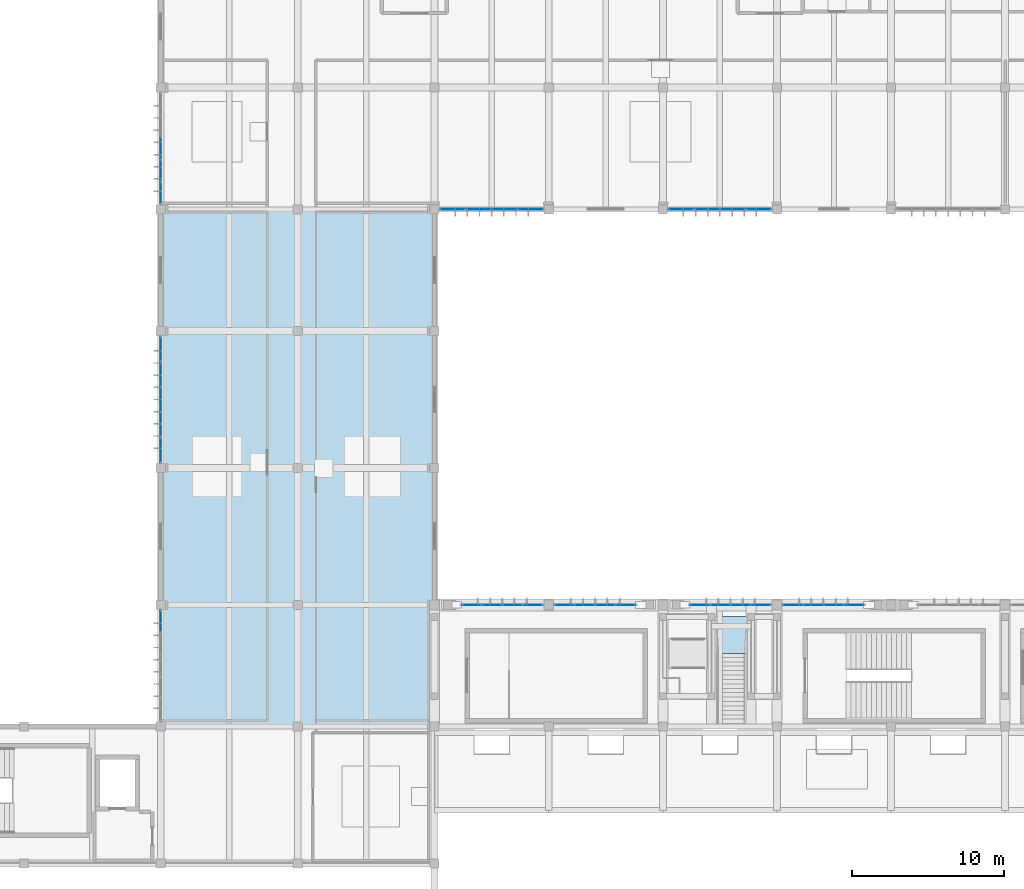
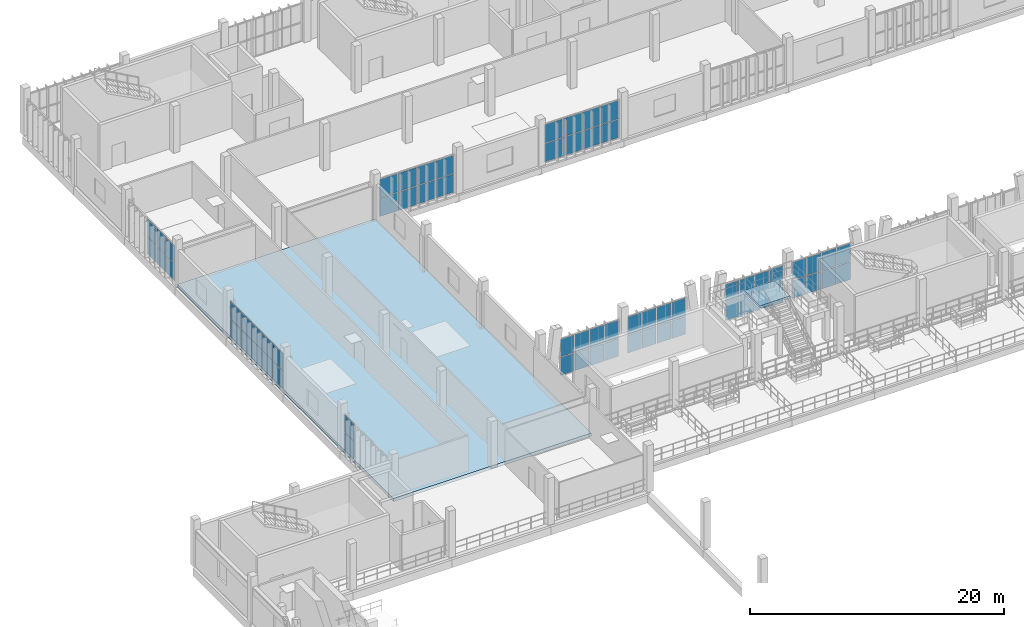
# One storey, part 41 of 81: 66 plates, 2 slabs, 9 elements without a shape of their own.
"""IFC4 building model written with IfcOpenShell, lengths in metres."""

from ifc_helpers import new_model, si_unit, direction, frame, origin, origin_2d, place, context, subcontext, project, spatial, polyline, rectangle, outline, extrude, material, layer, layer_set, type_object, element, aggregate, save


model = new_model("IFC4")

# Units and contexts
model_context = context("Model", 3, precision=1e-05, world=origin(), true_north=direction((0.0, 1.0)))
body_context = subcontext(model_context, "Body", "Model", "MODEL_VIEW")
ifc_project = project(units=[si_unit("LENGTHUNIT", "METRE"), si_unit("AREAUNIT", "SQUARE_METRE"), si_unit("VOLUMEUNIT", "CUBIC_METRE"), si_unit("PLANEANGLEUNIT", "RADIAN"), si_unit("MASSUNIT", "GRAM", prefix="KILO")], contexts=[model_context])

# Site, building, storey
site_placement = place(None, origin())
site = spatial("IfcSite", under=ifc_project, at=site_placement, CompositionType="ELEMENT")
building_placement = place(site_placement, origin())
building = spatial("IfcBuilding", under=site, at=building_placement, Name="Vourika Railside Aquatics Centre", CompositionType="ELEMENT")
storey_placement = place(building_placement, frame((0.0, 0.0, 4.800048828125)))
storey = spatial("IfcBuildingStorey", under=building, at=storey_placement, Name="L01", CompositionType="ELEMENT", Elevation=4.800048828125)

# Curtain wall, plates
ifc_material_1 = material(Name="Anodized thermally broken aluminium", Category="aluminium")
curtain_wall_type_1 = type_object("IfcCurtainWallType", Name="CW-CRT1", PredefinedType="NOTDEFINED", material=ifc_material_1)
curtain_wall_1_placement = place(storey_placement, origin())
curtain_wall_1 = element("IfcCurtainWall", 1, at=curtain_wall_1_placement, inside=storey, type_object=curtain_wall_type_1, Name="Spectator Concourse Courtyard Curtain Wall 1", PredefinedType="NOTDEFINED")
ifc_material_2 = material(Name="Low-E solar-control laminated double glazing", Category="glass")
ifc_layer_1 = layer(ifc_material_2, 0.02392578125, Name="CWP-CRT1")
ifc_layer_set_1 = layer_set([ifc_layer_1], Name="Low-E solar-control laminated double glazing")
plate_type_1 = type_object("IfcPlateType", Name="CWP-CRT1", PredefinedType="CURTAIN_PANEL", material=ifc_layer_set_1)
plate_1_placement = place(storey_placement, frame((42.44970703125, 66.0, 0.06591796875), z_axis=(0.0, 0.0, 1.0), x_axis=(-1.0, 0.0, 0.0)))
plate_1 = element("IfcPlate", 2, at=plate_1_placement, type_object=plate_type_1, Name="CW13 panel 1.1", PredefinedType="CURTAIN_PANEL", context=body_context, shape_type="SweptSolid", body=[
    extrude(rectangle(XDim=1.24853515625, YDim=0.02392578125, at=origin_2d()), origin(), (0.0, 0.0, 1.0), 1.700927734375),
])
plate_2_placement = place(storey_placement, frame((42.44970703125, 66.0, 1.8330078125), z_axis=(0.0, 0.0, 1.0), x_axis=(-1.0, 0.0, 0.0)))
plate_2 = element("IfcPlate", 3, at=plate_2_placement, type_object=plate_type_1, Name="CW13 panel 1.2", PredefinedType="CURTAIN_PANEL", context=body_context, shape_type="SweptSolid", body=[
    extrude(rectangle(XDim=1.24853515625, YDim=0.02392578125, at=origin_2d()), origin(), (0.0, 0.0, 1.0), 1.700927734375),
])
plate_3_placement = place(storey_placement, frame((41.11865234375, 66.0, 0.06591796875), z_axis=(0.0, 0.0, 1.0), x_axis=(-1.0, 0.0, 0.0)))
plate_3 = element("IfcPlate", 4, at=plate_3_placement, type_object=plate_type_1, Name="CW13 panel 2.1", PredefinedType="CURTAIN_PANEL", context=body_context, shape_type="SweptSolid", body=[
    extrude(rectangle(XDim=1.281494140625, YDim=0.02392578125, at=origin_2d()), origin(), (0.0, 0.0, 1.0), 1.700927734375),
])
plate_4_placement = place(storey_placement, frame((41.11865234375, 66.0, 1.8330078125), z_axis=(0.0, 0.0, 1.0), x_axis=(-1.0, 0.0, 0.0)))
plate_4 = element("IfcPlate", 5, at=plate_4_placement, type_object=plate_type_1, Name="CW13 panel 2.2", PredefinedType="CURTAIN_PANEL", context=body_context, shape_type="SweptSolid", body=[
    extrude(rectangle(XDim=1.281494140625, YDim=0.02392578125, at=origin_2d()), origin(), (0.0, 0.0, 1.0), 1.700927734375),
])
plate_5_placement = place(storey_placement, frame((39.771240234375, 66.0, 0.06591796875), z_axis=(0.0, 0.0, 1.0), x_axis=(-1.0, 0.0, 0.0)))
plate_5 = element("IfcPlate", 6, at=plate_5_placement, type_object=plate_type_1, Name="CW13 panel 3.1", PredefinedType="CURTAIN_PANEL", context=body_context, shape_type="SweptSolid", body=[
    extrude(rectangle(XDim=1.281494140625, YDim=0.02392578125, at=origin_2d()), origin(), (0.0, 0.0, 1.0), 1.700927734375),
])
plate_6_placement = place(storey_placement, frame((39.771240234375, 66.0, 1.8330078125), z_axis=(0.0, 0.0, 1.0), x_axis=(-1.0, 0.0, 0.0)))
plate_6 = element("IfcPlate", 7, at=plate_6_placement, type_object=plate_type_1, Name="CW13 panel 3.2", PredefinedType="CURTAIN_PANEL", context=body_context, shape_type="SweptSolid", body=[
    extrude(rectangle(XDim=1.281494140625, YDim=0.02392578125, at=origin_2d()), origin(), (0.0, 0.0, 1.0), 1.700927734375),
])
plate_7_placement = place(storey_placement, frame((38.440185546875, 66.0, 0.06591796875), z_axis=(0.0, 0.0, 1.0), x_axis=(-1.0, 0.0, 0.0)))
plate_7 = element("IfcPlate", 8, at=plate_7_placement, type_object=plate_type_1, Name="CW13 panel 4.1", PredefinedType="CURTAIN_PANEL", context=body_context, shape_type="SweptSolid", body=[
    extrude(rectangle(XDim=1.24853515625, YDim=0.02392578125, at=origin_2d()), origin(), (0.0, 0.0, 1.0), 1.700927734375),
])
plate_8_placement = place(storey_placement, frame((38.440185546875, 66.0, 1.8330078125), z_axis=(0.0, 0.0, 1.0), x_axis=(-1.0, 0.0, 0.0)))
plate_8 = element("IfcPlate", 9, at=plate_8_placement, type_object=plate_type_1, Name="CW13 panel 4.2", PredefinedType="CURTAIN_PANEL", context=body_context, shape_type="SweptSolid", body=[
    extrude(rectangle(XDim=1.24853515625, YDim=0.02392578125, at=origin_2d()), origin(), (0.0, 0.0, 1.0), 1.700927734375),
])
aggregate(curtain_wall_1, [plate_1, plate_2, plate_3, plate_4, plate_5, plate_6, plate_7, plate_8])

curtain_wall_2_placement = place(storey_placement, origin())
curtain_wall_2 = element("IfcCurtainWall", 10, at=curtain_wall_2_placement, inside=storey, type_object=curtain_wall_type_1, Name="Spectator Concourse Courtyard Curtain Wall 2", PredefinedType="NOTDEFINED")
plate_9_placement = place(storey_placement, frame((48.559814453125, 66.0, 0.06591796875), z_axis=(0.0, 0.0, 1.0), x_axis=(-1.0, 0.0, 0.0)))
plate_9 = element("IfcPlate", 11, at=plate_9_placement, type_object=plate_type_1, Name="CW13 panel 1.1", PredefinedType="CURTAIN_PANEL", context=body_context, shape_type="SweptSolid", body=[
    extrude(rectangle(XDim=1.24853515625, YDim=0.02392578125, at=origin_2d()), origin(), (0.0, 0.0, 1.0), 1.700927734375),
])
plate_10_placement = place(storey_placement, frame((48.559814453125, 66.0, 1.8330078125), z_axis=(0.0, 0.0, 1.0), x_axis=(-1.0, 0.0, 0.0)))
plate_10 = element("IfcPlate", 12, at=plate_10_placement, type_object=plate_type_1, Name="CW13 panel 1.2", PredefinedType="CURTAIN_PANEL", context=body_context, shape_type="SweptSolid", body=[
    extrude(rectangle(XDim=1.24853515625, YDim=0.02392578125, at=origin_2d()), origin(), (0.0, 0.0, 1.0), 1.700927734375),
])
plate_11_placement = place(storey_placement, frame((47.228759765625, 66.0, 0.06591796875), z_axis=(0.0, 0.0, 1.0), x_axis=(-1.0, 0.0, 0.0)))
plate_11 = element("IfcPlate", 13, at=plate_11_placement, type_object=plate_type_1, Name="CW13 panel 2.1", PredefinedType="CURTAIN_PANEL", context=body_context, shape_type="SweptSolid", body=[
    extrude(rectangle(XDim=1.281494140625, YDim=0.02392578125, at=origin_2d()), origin(), (0.0, 0.0, 1.0), 1.700927734375),
])
plate_12_placement = place(storey_placement, frame((47.228759765625, 66.0, 1.8330078125), z_axis=(0.0, 0.0, 1.0), x_axis=(-1.0, 0.0, 0.0)))
plate_12 = element("IfcPlate", 14, at=plate_12_placement, type_object=plate_type_1, Name="CW13 panel 2.2", PredefinedType="CURTAIN_PANEL", context=body_context, shape_type="SweptSolid", body=[
    extrude(rectangle(XDim=1.281494140625, YDim=0.02392578125, at=origin_2d()), origin(), (0.0, 0.0, 1.0), 1.700927734375),
])
plate_13_placement = place(storey_placement, frame((45.88134765625, 66.0, 0.06591796875), z_axis=(0.0, 0.0, 1.0), x_axis=(-1.0, 0.0, 0.0)))
plate_13 = element("IfcPlate", 15, at=plate_13_placement, type_object=plate_type_1, Name="CW13 panel 3.1", PredefinedType="CURTAIN_PANEL", context=body_context, shape_type="SweptSolid", body=[
    extrude(rectangle(XDim=1.281494140625, YDim=0.02392578125, at=origin_2d()), origin(), (0.0, 0.0, 1.0), 1.700927734375),
])
plate_14_placement = place(storey_placement, frame((45.88134765625, 66.0, 1.8330078125), z_axis=(0.0, 0.0, 1.0), x_axis=(-1.0, 0.0, 0.0)))
plate_14 = element("IfcPlate", 16, at=plate_14_placement, type_object=plate_type_1, Name="CW13 panel 3.2", PredefinedType="CURTAIN_PANEL", context=body_context, shape_type="SweptSolid", body=[
    extrude(rectangle(XDim=1.281494140625, YDim=0.02392578125, at=origin_2d()), origin(), (0.0, 0.0, 1.0), 1.700927734375),
])
plate_15_placement = place(storey_placement, frame((44.55029296875, 66.0, 0.06591796875), z_axis=(0.0, 0.0, 1.0), x_axis=(-1.0, 0.0, 0.0)))
plate_15 = element("IfcPlate", 17, at=plate_15_placement, type_object=plate_type_1, Name="CW13 panel 4.1", PredefinedType="CURTAIN_PANEL", context=body_context, shape_type="SweptSolid", body=[
    extrude(rectangle(XDim=1.24853515625, YDim=0.02392578125, at=origin_2d()), origin(), (0.0, 0.0, 1.0), 1.700927734375),
])
plate_16_placement = place(storey_placement, frame((44.55029296875, 66.0, 1.8330078125), z_axis=(0.0, 0.0, 1.0), x_axis=(-1.0, 0.0, 0.0)))
plate_16 = element("IfcPlate", 18, at=plate_16_placement, type_object=plate_type_1, Name="CW13 panel 4.2", PredefinedType="CURTAIN_PANEL", context=body_context, shape_type="SweptSolid", body=[
    extrude(rectangle(XDim=1.24853515625, YDim=0.02392578125, at=origin_2d()), origin(), (0.0, 0.0, 1.0), 1.700927734375),
])
aggregate(curtain_wall_2, [plate_9, plate_10, plate_11, plate_12, plate_13, plate_14, plate_15, plate_16])

curtain_wall_3_placement = place(storey_placement, origin())
curtain_wall_3 = element("IfcCurtainWall", 19, at=curtain_wall_3_placement, inside=storey, type_object=curtain_wall_type_1, Name="Spectator Concourse Courtyard Curtain Wall 3", PredefinedType="NOTDEFINED")
plate_17_placement = place(storey_placement, frame((57.44970703125, 66.0, 0.06591796875), z_axis=(0.0, 0.0, 1.0), x_axis=(-1.0, 0.0, 0.0)))
plate_17 = element("IfcPlate", 20, at=plate_17_placement, type_object=plate_type_1, Name="CW13 panel 1.1", PredefinedType="CURTAIN_PANEL", context=body_context, shape_type="SweptSolid", body=[
    extrude(rectangle(XDim=1.24853515625, YDim=0.02392578125, at=origin_2d()), origin(), (0.0, 0.0, 1.0), 1.700927734375),
])
plate_18_placement = place(storey_placement, frame((57.44970703125, 66.0, 1.8330078125), z_axis=(0.0, 0.0, 1.0), x_axis=(-1.0, 0.0, 0.0)))
plate_18 = element("IfcPlate", 21, at=plate_18_placement, type_object=plate_type_1, Name="CW13 panel 1.2", PredefinedType="CURTAIN_PANEL", context=body_context, shape_type="SweptSolid", body=[
    extrude(rectangle(XDim=1.24853515625, YDim=0.02392578125, at=origin_2d()), origin(), (0.0, 0.0, 1.0), 1.700927734375),
])
plate_19_placement = place(storey_placement, frame((56.11865234375, 66.0, 0.06591796875), z_axis=(0.0, 0.0, 1.0), x_axis=(-1.0, 0.0, 0.0)))
plate_19 = element("IfcPlate", 22, at=plate_19_placement, type_object=plate_type_1, Name="CW13 panel 2.1", PredefinedType="CURTAIN_PANEL", context=body_context, shape_type="SweptSolid", body=[
    extrude(rectangle(XDim=1.281494140625, YDim=0.02392578125, at=origin_2d()), origin(), (0.0, 0.0, 1.0), 1.700927734375),
])
plate_20_placement = place(storey_placement, frame((56.11865234375, 66.0, 1.8330078125), z_axis=(0.0, 0.0, 1.0), x_axis=(-1.0, 0.0, 0.0)))
plate_20 = element("IfcPlate", 23, at=plate_20_placement, type_object=plate_type_1, Name="CW13 panel 2.2", PredefinedType="CURTAIN_PANEL", context=body_context, shape_type="SweptSolid", body=[
    extrude(rectangle(XDim=1.281494140625, YDim=0.02392578125, at=origin_2d()), origin(), (0.0, 0.0, 1.0), 1.700927734375),
])
plate_21_placement = place(storey_placement, frame((54.771240234375, 66.0, 0.06591796875), z_axis=(0.0, 0.0, 1.0), x_axis=(-1.0, 0.0, 0.0)))
plate_21 = element("IfcPlate", 24, at=plate_21_placement, type_object=plate_type_1, Name="CW13 panel 3.1", PredefinedType="CURTAIN_PANEL", context=body_context, shape_type="SweptSolid", body=[
    extrude(rectangle(XDim=1.281494140625, YDim=0.02392578125, at=origin_2d()), origin(), (0.0, 0.0, 1.0), 1.700927734375),
])
plate_22_placement = place(storey_placement, frame((54.771240234375, 66.0, 1.8330078125), z_axis=(0.0, 0.0, 1.0), x_axis=(-1.0, 0.0, 0.0)))
plate_22 = element("IfcPlate", 25, at=plate_22_placement, type_object=plate_type_1, Name="CW13 panel 3.2", PredefinedType="CURTAIN_PANEL", context=body_context, shape_type="SweptSolid", body=[
    extrude(rectangle(XDim=1.281494140625, YDim=0.02392578125, at=origin_2d()), origin(), (0.0, 0.0, 1.0), 1.700927734375),
])
plate_23_placement = place(storey_placement, frame((53.440185546875, 66.0, 0.06591796875), z_axis=(0.0, 0.0, 1.0), x_axis=(-1.0, 0.0, 0.0)))
plate_23 = element("IfcPlate", 26, at=plate_23_placement, type_object=plate_type_1, Name="CW13 panel 4.1", PredefinedType="CURTAIN_PANEL", context=body_context, shape_type="SweptSolid", body=[
    extrude(rectangle(XDim=1.24853515625, YDim=0.02392578125, at=origin_2d()), origin(), (0.0, 0.0, 1.0), 1.700927734375),
])
plate_24_placement = place(storey_placement, frame((53.440185546875, 66.0, 1.8330078125), z_axis=(0.0, 0.0, 1.0), x_axis=(-1.0, 0.0, 0.0)))
plate_24 = element("IfcPlate", 27, at=plate_24_placement, type_object=plate_type_1, Name="CW13 panel 4.2", PredefinedType="CURTAIN_PANEL", context=body_context, shape_type="SweptSolid", body=[
    extrude(rectangle(XDim=1.24853515625, YDim=0.02392578125, at=origin_2d()), origin(), (0.0, 0.0, 1.0), 1.700927734375),
])
aggregate(curtain_wall_3, [plate_17, plate_18, plate_19, plate_20, plate_21, plate_22, plate_23, plate_24])

curtain_wall_4_placement = place(storey_placement, origin())
curtain_wall_4 = element("IfcCurtainWall", 28, at=curtain_wall_4_placement, inside=storey, type_object=curtain_wall_type_1, Name="Spectator Concourse Courtyard Curtain Wall 4", PredefinedType="NOTDEFINED")
plate_25_placement = place(storey_placement, frame((63.559814453125, 66.0, 0.06591796875), z_axis=(0.0, 0.0, 1.0), x_axis=(-1.0, 0.0, 0.0)))
plate_25 = element("IfcPlate", 29, at=plate_25_placement, type_object=plate_type_1, Name="CW13 panel 1.1", PredefinedType="CURTAIN_PANEL", context=body_context, shape_type="SweptSolid", body=[
    extrude(rectangle(XDim=1.24853515625, YDim=0.02392578125, at=origin_2d()), origin(), (0.0, 0.0, 1.0), 1.700927734375),
])
plate_26_placement = place(storey_placement, frame((63.559814453125, 66.0, 1.8330078125), z_axis=(0.0, 0.0, 1.0), x_axis=(-1.0, 0.0, 0.0)))
plate_26 = element("IfcPlate", 30, at=plate_26_placement, type_object=plate_type_1, Name="CW13 panel 1.2", PredefinedType="CURTAIN_PANEL", context=body_context, shape_type="SweptSolid", body=[
    extrude(rectangle(XDim=1.24853515625, YDim=0.02392578125, at=origin_2d()), origin(), (0.0, 0.0, 1.0), 1.700927734375),
])
plate_27_placement = place(storey_placement, frame((62.228759765625, 66.0, 0.06591796875), z_axis=(0.0, 0.0, 1.0), x_axis=(-1.0, 0.0, 0.0)))
plate_27 = element("IfcPlate", 31, at=plate_27_placement, type_object=plate_type_1, Name="CW13 panel 2.1", PredefinedType="CURTAIN_PANEL", context=body_context, shape_type="SweptSolid", body=[
    extrude(rectangle(XDim=1.281494140625, YDim=0.02392578125, at=origin_2d()), origin(), (0.0, 0.0, 1.0), 1.700927734375),
])
plate_28_placement = place(storey_placement, frame((62.228759765625, 66.0, 1.8330078125), z_axis=(0.0, 0.0, 1.0), x_axis=(-1.0, 0.0, 0.0)))
plate_28 = element("IfcPlate", 32, at=plate_28_placement, type_object=plate_type_1, Name="CW13 panel 2.2", PredefinedType="CURTAIN_PANEL", context=body_context, shape_type="SweptSolid", body=[
    extrude(rectangle(XDim=1.281494140625, YDim=0.02392578125, at=origin_2d()), origin(), (0.0, 0.0, 1.0), 1.700927734375),
])
plate_29_placement = place(storey_placement, frame((60.88134765625, 66.0, 0.06591796875), z_axis=(0.0, 0.0, 1.0), x_axis=(-1.0, 0.0, 0.0)))
plate_29 = element("IfcPlate", 33, at=plate_29_placement, type_object=plate_type_1, Name="CW13 panel 3.1", PredefinedType="CURTAIN_PANEL", context=body_context, shape_type="SweptSolid", body=[
    extrude(rectangle(XDim=1.281494140625, YDim=0.02392578125, at=origin_2d()), origin(), (0.0, 0.0, 1.0), 1.700927734375),
])
plate_30_placement = place(storey_placement, frame((60.88134765625, 66.0, 1.8330078125), z_axis=(0.0, 0.0, 1.0), x_axis=(-1.0, 0.0, 0.0)))
plate_30 = element("IfcPlate", 34, at=plate_30_placement, type_object=plate_type_1, Name="CW13 panel 3.2", PredefinedType="CURTAIN_PANEL", context=body_context, shape_type="SweptSolid", body=[
    extrude(rectangle(XDim=1.281494140625, YDim=0.02392578125, at=origin_2d()), origin(), (0.0, 0.0, 1.0), 1.700927734375),
])
plate_31_placement = place(storey_placement, frame((59.55029296875, 66.0, 0.06591796875), z_axis=(0.0, 0.0, 1.0), x_axis=(-1.0, 0.0, 0.0)))
plate_31 = element("IfcPlate", 35, at=plate_31_placement, type_object=plate_type_1, Name="CW13 panel 4.1", PredefinedType="CURTAIN_PANEL", context=body_context, shape_type="SweptSolid", body=[
    extrude(rectangle(XDim=1.24853515625, YDim=0.02392578125, at=origin_2d()), origin(), (0.0, 0.0, 1.0), 1.700927734375),
])
plate_32_placement = place(storey_placement, frame((59.55029296875, 66.0, 1.8330078125), z_axis=(0.0, 0.0, 1.0), x_axis=(-1.0, 0.0, 0.0)))
plate_32 = element("IfcPlate", 36, at=plate_32_placement, type_object=plate_type_1, Name="CW13 panel 4.2", PredefinedType="CURTAIN_PANEL", context=body_context, shape_type="SweptSolid", body=[
    extrude(rectangle(XDim=1.24853515625, YDim=0.02392578125, at=origin_2d()), origin(), (0.0, 0.0, 1.0), 1.700927734375),
])
aggregate(curtain_wall_4, [plate_25, plate_26, plate_27, plate_28, plate_29, plate_30, plate_31, plate_32])

curtain_wall_type_2 = type_object("IfcCurtainWallType", Name="CW-FIT1", PredefinedType="NOTDEFINED", material=ifc_material_1)
curtain_wall_5_placement = place(storey_placement, origin())
curtain_wall_5 = element("IfcCurtainWall", 37, at=curtain_wall_5_placement, inside=storey, type_object=curtain_wall_type_2, Name="Courtyard Fitness Curtain Wall L01-1", PredefinedType="NOTDEFINED")
ifc_layer_2 = layer(ifc_material_2, 0.02392578125, Name="CWP-FIT1")
ifc_layer_set_2 = layer_set([ifc_layer_2], Name="Low-E solar-control laminated double glazing")
plate_type_2 = type_object("IfcPlateType", Name="CWP-FIT1", PredefinedType="CURTAIN_PANEL", material=ifc_layer_set_2)
plate_33_placement = place(storey_placement, frame((37.200439453125, 92.0, 0.06201171875), z_axis=(0.0, 0.0, 1.0), x_axis=(1.0, 0.0, 0.0)))
plate_33 = element("IfcPlate", 38, at=plate_33_placement, type_object=plate_type_2, Name="CW15 panel 1.1", PredefinedType="CURTAIN_PANEL", context=body_context, shape_type="SweptSolid", body=[
    extrude(rectangle(XDim=1.616943359375, YDim=0.02392578125, at=origin_2d()), origin(), (0.0, 0.0, 1.0), 1.757080078125),
])
plate_34_placement = place(storey_placement, frame((37.200439453125, 92.0, 1.880859375), z_axis=(0.0, 0.0, 1.0), x_axis=(1.0, 0.0, 0.0)))
plate_34 = element("IfcPlate", 39, at=plate_34_placement, type_object=plate_type_2, Name="CW15 panel 1.2", PredefinedType="CURTAIN_PANEL", context=body_context, shape_type="SweptSolid", body=[
    extrude(rectangle(XDim=1.616943359375, YDim=0.02392578125, at=origin_2d()), origin(), (0.0, 0.0, 1.0), 1.757080078125),
])
plate_35_placement = place(storey_placement, frame((38.89501953125, 92.0, 0.06201171875), z_axis=(0.0, 0.0, 1.0), x_axis=(1.0, 0.0, 0.0)))
plate_35 = element("IfcPlate", 40, at=plate_35_placement, type_object=plate_type_2, Name="CW15 panel 2.1", PredefinedType="CURTAIN_PANEL", context=body_context, shape_type="SweptSolid", body=[
    extrude(rectangle(XDim=1.64794921875, YDim=0.02392578125, at=origin_2d()), origin(), (0.0, 0.0, 1.0), 1.757080078125),
])
plate_36_placement = place(storey_placement, frame((38.89501953125, 92.0, 1.880859375), z_axis=(0.0, 0.0, 1.0), x_axis=(1.0, 0.0, 0.0)))
plate_36 = element("IfcPlate", 41, at=plate_36_placement, type_object=plate_type_2, Name="CW15 panel 2.2", PredefinedType="CURTAIN_PANEL", context=body_context, shape_type="SweptSolid", body=[
    extrude(rectangle(XDim=1.64794921875, YDim=0.02392578125, at=origin_2d()), origin(), (0.0, 0.0, 1.0), 1.757080078125),
])
plate_37_placement = place(storey_placement, frame((40.60498046875, 92.0, 0.06201171875), z_axis=(0.0, 0.0, 1.0), x_axis=(1.0, 0.0, 0.0)))
plate_37 = element("IfcPlate", 42, at=plate_37_placement, type_object=plate_type_2, Name="CW15 panel 3.1", PredefinedType="CURTAIN_PANEL", context=body_context, shape_type="SweptSolid", body=[
    extrude(rectangle(XDim=1.64794921875, YDim=0.02392578125, at=origin_2d()), origin(), (0.0, 0.0, 1.0), 1.757080078125),
])
plate_38_placement = place(storey_placement, frame((40.60498046875, 92.0, 1.880859375), z_axis=(0.0, 0.0, 1.0), x_axis=(1.0, 0.0, 0.0)))
plate_38 = element("IfcPlate", 43, at=plate_38_placement, type_object=plate_type_2, Name="CW15 panel 3.2", PredefinedType="CURTAIN_PANEL", context=body_context, shape_type="SweptSolid", body=[
    extrude(rectangle(XDim=1.64794921875, YDim=0.02392578125, at=origin_2d()), origin(), (0.0, 0.0, 1.0), 1.757080078125),
])
plate_39_placement = place(storey_placement, frame((42.299560546875, 92.0, 0.06201171875), z_axis=(0.0, 0.0, 1.0), x_axis=(1.0, 0.0, 0.0)))
plate_39 = element("IfcPlate", 44, at=plate_39_placement, type_object=plate_type_2, Name="CW15 panel 4.1", PredefinedType="CURTAIN_PANEL", context=body_context, shape_type="SweptSolid", body=[
    extrude(rectangle(XDim=1.616943359375, YDim=0.02392578125, at=origin_2d()), origin(), (0.0, 0.0, 1.0), 1.757080078125),
])
plate_40_placement = place(storey_placement, frame((42.299560546875, 92.0, 1.880859375), z_axis=(0.0, 0.0, 1.0), x_axis=(1.0, 0.0, 0.0)))
plate_40 = element("IfcPlate", 45, at=plate_40_placement, type_object=plate_type_2, Name="CW15 panel 4.2", PredefinedType="CURTAIN_PANEL", context=body_context, shape_type="SweptSolid", body=[
    extrude(rectangle(XDim=1.616943359375, YDim=0.02392578125, at=origin_2d()), origin(), (0.0, 0.0, 1.0), 1.757080078125),
])
aggregate(curtain_wall_5, [plate_33, plate_34, plate_35, plate_36, plate_37, plate_38, plate_39, plate_40])

curtain_wall_6_placement = place(storey_placement, origin())
curtain_wall_6 = element("IfcCurtainWall", 46, at=curtain_wall_6_placement, inside=storey, type_object=curtain_wall_type_2, Name="Courtyard Fitness Curtain Wall L01-3", PredefinedType="NOTDEFINED")
plate_41_placement = place(storey_placement, frame((52.200439453125, 92.0, 0.06201171875), z_axis=(0.0, 0.0, 1.0), x_axis=(1.0, 0.0, 0.0)))
plate_41 = element("IfcPlate", 47, at=plate_41_placement, type_object=plate_type_2, Name="CW15 panel 1.1", PredefinedType="CURTAIN_PANEL", context=body_context, shape_type="SweptSolid", body=[
    extrude(rectangle(XDim=1.616943359375, YDim=0.02392578125, at=origin_2d()), origin(), (0.0, 0.0, 1.0), 1.757080078125),
])
plate_42_placement = place(storey_placement, frame((52.200439453125, 92.0, 1.880859375), z_axis=(0.0, 0.0, 1.0), x_axis=(1.0, 0.0, 0.0)))
plate_42 = element("IfcPlate", 48, at=plate_42_placement, type_object=plate_type_2, Name="CW15 panel 1.2", PredefinedType="CURTAIN_PANEL", context=body_context, shape_type="SweptSolid", body=[
    extrude(rectangle(XDim=1.616943359375, YDim=0.02392578125, at=origin_2d()), origin(), (0.0, 0.0, 1.0), 1.757080078125),
])
plate_43_placement = place(storey_placement, frame((53.89501953125, 92.0, 0.06201171875), z_axis=(0.0, 0.0, 1.0), x_axis=(1.0, 0.0, 0.0)))
plate_43 = element("IfcPlate", 49, at=plate_43_placement, type_object=plate_type_2, Name="CW15 panel 2.1", PredefinedType="CURTAIN_PANEL", context=body_context, shape_type="SweptSolid", body=[
    extrude(rectangle(XDim=1.64794921875, YDim=0.02392578125, at=origin_2d()), origin(), (0.0, 0.0, 1.0), 1.757080078125),
])
plate_44_placement = place(storey_placement, frame((53.89501953125, 92.0, 1.880859375), z_axis=(0.0, 0.0, 1.0), x_axis=(1.0, 0.0, 0.0)))
plate_44 = element("IfcPlate", 50, at=plate_44_placement, type_object=plate_type_2, Name="CW15 panel 2.2", PredefinedType="CURTAIN_PANEL", context=body_context, shape_type="SweptSolid", body=[
    extrude(rectangle(XDim=1.64794921875, YDim=0.02392578125, at=origin_2d()), origin(), (0.0, 0.0, 1.0), 1.757080078125),
])
plate_45_placement = place(storey_placement, frame((55.60498046875, 92.0, 0.06201171875), z_axis=(0.0, 0.0, 1.0), x_axis=(1.0, 0.0, 0.0)))
plate_45 = element("IfcPlate", 51, at=plate_45_placement, type_object=plate_type_2, Name="CW15 panel 3.1", PredefinedType="CURTAIN_PANEL", context=body_context, shape_type="SweptSolid", body=[
    extrude(rectangle(XDim=1.64794921875, YDim=0.02392578125, at=origin_2d()), origin(), (0.0, 0.0, 1.0), 1.757080078125),
])
plate_46_placement = place(storey_placement, frame((55.60498046875, 92.0, 1.880859375), z_axis=(0.0, 0.0, 1.0), x_axis=(1.0, 0.0, 0.0)))
plate_46 = element("IfcPlate", 52, at=plate_46_placement, type_object=plate_type_2, Name="CW15 panel 3.2", PredefinedType="CURTAIN_PANEL", context=body_context, shape_type="SweptSolid", body=[
    extrude(rectangle(XDim=1.64794921875, YDim=0.02392578125, at=origin_2d()), origin(), (0.0, 0.0, 1.0), 1.757080078125),
])
plate_47_placement = place(storey_placement, frame((57.299560546875, 92.0, 0.06201171875), z_axis=(0.0, 0.0, 1.0), x_axis=(1.0, 0.0, 0.0)))
plate_47 = element("IfcPlate", 53, at=plate_47_placement, type_object=plate_type_2, Name="CW15 panel 4.1", PredefinedType="CURTAIN_PANEL", context=body_context, shape_type="SweptSolid", body=[
    extrude(rectangle(XDim=1.616943359375, YDim=0.02392578125, at=origin_2d()), origin(), (0.0, 0.0, 1.0), 1.757080078125),
])
plate_48_placement = place(storey_placement, frame((57.299560546875, 92.0, 1.880859375), z_axis=(0.0, 0.0, 1.0), x_axis=(1.0, 0.0, 0.0)))
plate_48 = element("IfcPlate", 54, at=plate_48_placement, type_object=plate_type_2, Name="CW15 panel 4.2", PredefinedType="CURTAIN_PANEL", context=body_context, shape_type="SweptSolid", body=[
    extrude(rectangle(XDim=1.616943359375, YDim=0.02392578125, at=origin_2d()), origin(), (0.0, 0.0, 1.0), 1.757080078125),
])
aggregate(curtain_wall_6, [plate_41, plate_42, plate_43, plate_44, plate_45, plate_46, plate_47, plate_48])

curtain_wall_7_placement = place(storey_placement, origin())
curtain_wall_7 = element("IfcCurtainWall", 55, at=curtain_wall_7_placement, inside=storey, type_object=curtain_wall_type_2, Name="Fitness West Boulevard Curtain Wall L01-1", PredefinedType="NOTDEFINED")
plate_49_placement = place(storey_placement, frame((18.0, 64.92041015625, 0.06201171875), z_axis=(0.0, 0.0, 1.0), x_axis=(0.0, -1.0, 0.0)))
plate_49 = element("IfcPlate", 56, at=plate_49_placement, type_object=plate_type_2, Name="CW15 panel 1.1", PredefinedType="CURTAIN_PANEL", context=body_context, shape_type="SweptSolid", body=[
    extrude(rectangle(XDim=1.375, YDim=0.02392578125, at=origin_2d()), origin(), (0.0, 0.0, 1.0), 1.656982421875),
])
plate_50_placement = place(storey_placement, frame((18.0, 64.92041015625, 1.78076171875), z_axis=(0.0, 0.0, 1.0), x_axis=(0.0, -1.0, 0.0)))
plate_50 = element("IfcPlate", 57, at=plate_50_placement, type_object=plate_type_2, Name="CW15 panel 1.2", PredefinedType="CURTAIN_PANEL", context=body_context, shape_type="SweptSolid", body=[
    extrude(rectangle(XDim=1.375, YDim=0.02392578125, at=origin_2d()), origin(), (0.0, 0.0, 1.0), 1.656982421875),
])
aggregate(curtain_wall_7, [plate_49, plate_50])

curtain_wall_8_placement = place(storey_placement, origin())
curtain_wall_8 = element("IfcCurtainWall", 58, at=curtain_wall_8_placement, inside=storey, type_object=curtain_wall_type_2, Name="Fitness West Boulevard Curtain Wall L01-3", PredefinedType="NOTDEFINED")
plate_51_placement = place(storey_placement, frame((18.0, 82.820556640625, 0.06201171875), z_axis=(0.0, 0.0, 1.0), x_axis=(0.0, -1.0, 0.0)))
plate_51 = element("IfcPlate", 59, at=plate_51_placement, type_object=plate_type_2, Name="CW15 panel 1.1", PredefinedType="CURTAIN_PANEL", context=body_context, shape_type="SweptSolid", body=[
    extrude(rectangle(XDim=1.574951171875, YDim=0.02392578125, at=origin_2d()), origin(), (0.0, 0.0, 1.0), 1.656982421875),
])
plate_52_placement = place(storey_placement, frame((18.0, 82.820556640625, 1.78076171875), z_axis=(0.0, 0.0, 1.0), x_axis=(0.0, -1.0, 0.0)))
plate_52 = element("IfcPlate", 60, at=plate_52_placement, type_object=plate_type_2, Name="CW15 panel 1.2", PredefinedType="CURTAIN_PANEL", context=body_context, shape_type="SweptSolid", body=[
    extrude(rectangle(XDim=1.574951171875, YDim=0.02392578125, at=origin_2d()), origin(), (0.0, 0.0, 1.0), 1.656982421875),
])
plate_53_placement = place(storey_placement, frame((18.0, 81.16796875, 0.06201171875), z_axis=(0.0, 0.0, 1.0), x_axis=(0.0, -1.0, 0.0)))
plate_53 = element("IfcPlate", 61, at=plate_53_placement, type_object=plate_type_2, Name="CW15 panel 2.1", PredefinedType="CURTAIN_PANEL", context=body_context, shape_type="SweptSolid", body=[
    extrude(rectangle(XDim=1.60595703125, YDim=0.02392578125, at=origin_2d()), origin(), (0.0, 0.0, 1.0), 1.656982421875),
])
plate_54_placement = place(storey_placement, frame((18.0, 81.16796875, 1.78076171875), z_axis=(0.0, 0.0, 1.0), x_axis=(0.0, -1.0, 0.0)))
plate_54 = element("IfcPlate", 62, at=plate_54_placement, type_object=plate_type_2, Name="CW15 panel 2.2", PredefinedType="CURTAIN_PANEL", context=body_context, shape_type="SweptSolid", body=[
    extrude(rectangle(XDim=1.60595703125, YDim=0.02392578125, at=origin_2d()), origin(), (0.0, 0.0, 1.0), 1.656982421875),
])
plate_55_placement = place(storey_placement, frame((18.0, 79.5, 0.06201171875), z_axis=(0.0, 0.0, 1.0), x_axis=(0.0, -1.0, 0.0)))
plate_55 = element("IfcPlate", 63, at=plate_55_placement, type_object=plate_type_2, Name="CW15 panel 3.1", PredefinedType="CURTAIN_PANEL", context=body_context, shape_type="SweptSolid", body=[
    extrude(rectangle(XDim=1.60595703125, YDim=0.02392578125, at=origin_2d()), origin(), (0.0, 0.0, 1.0), 1.656982421875),
])
plate_56_placement = place(storey_placement, frame((18.0, 79.5, 1.78076171875), z_axis=(0.0, 0.0, 1.0), x_axis=(0.0, -1.0, 0.0)))
plate_56 = element("IfcPlate", 64, at=plate_56_placement, type_object=plate_type_2, Name="CW15 panel 3.2", PredefinedType="CURTAIN_PANEL", context=body_context, shape_type="SweptSolid", body=[
    extrude(rectangle(XDim=1.60595703125, YDim=0.02392578125, at=origin_2d()), origin(), (0.0, 0.0, 1.0), 1.656982421875),
])
plate_57_placement = place(storey_placement, frame((18.0, 77.83203125, 0.06201171875), z_axis=(0.0, 0.0, 1.0), x_axis=(0.0, -1.0, 0.0)))
plate_57 = element("IfcPlate", 65, at=plate_57_placement, type_object=plate_type_2, Name="CW15 panel 4.1", PredefinedType="CURTAIN_PANEL", context=body_context, shape_type="SweptSolid", body=[
    extrude(rectangle(XDim=1.60595703125, YDim=0.02392578125, at=origin_2d()), origin(), (0.0, 0.0, 1.0), 1.656982421875),
])
plate_58_placement = place(storey_placement, frame((18.0, 77.83203125, 1.78076171875), z_axis=(0.0, 0.0, 1.0), x_axis=(0.0, -1.0, 0.0)))
plate_58 = element("IfcPlate", 66, at=plate_58_placement, type_object=plate_type_2, Name="CW15 panel 4.2", PredefinedType="CURTAIN_PANEL", context=body_context, shape_type="SweptSolid", body=[
    extrude(rectangle(XDim=1.60595703125, YDim=0.02392578125, at=origin_2d()), origin(), (0.0, 0.0, 1.0), 1.656982421875),
])
plate_59_placement = place(storey_placement, frame((18.0, 76.179443359375, 0.06201171875), z_axis=(0.0, 0.0, 1.0), x_axis=(0.0, -1.0, 0.0)))
plate_59 = element("IfcPlate", 67, at=plate_59_placement, type_object=plate_type_2, Name="CW15 panel 5.1", PredefinedType="CURTAIN_PANEL", context=body_context, shape_type="SweptSolid", body=[
    extrude(rectangle(XDim=1.574951171875, YDim=0.02392578125, at=origin_2d()), origin(), (0.0, 0.0, 1.0), 1.656982421875),
])
plate_60_placement = place(storey_placement, frame((18.0, 76.179443359375, 1.78076171875), z_axis=(0.0, 0.0, 1.0), x_axis=(0.0, -1.0, 0.0)))
plate_60 = element("IfcPlate", 68, at=plate_60_placement, type_object=plate_type_2, Name="CW15 panel 5.2", PredefinedType="CURTAIN_PANEL", context=body_context, shape_type="SweptSolid", body=[
    extrude(rectangle(XDim=1.574951171875, YDim=0.02392578125, at=origin_2d()), origin(), (0.0, 0.0, 1.0), 1.656982421875),
])
aggregate(curtain_wall_8, [plate_51, plate_52, plate_53, plate_54, plate_55, plate_56, plate_57, plate_58, plate_59, plate_60])

curtain_wall_9_placement = place(storey_placement, origin())
curtain_wall_9 = element("IfcCurtainWall", 69, at=curtain_wall_9_placement, inside=storey, type_object=curtain_wall_type_2, Name="Fitness West Boulevard Curtain Wall L01-5", PredefinedType="NOTDEFINED")
plate_61_placement = place(storey_placement, frame((18.0, 96.0, 0.06201171875), z_axis=(0.0, 0.0, 1.0), x_axis=(0.0, -1.0, 0.0)))
plate_61 = element("IfcPlate", 70, at=plate_61_placement, type_object=plate_type_2, Name="CW15 panel 3.1", PredefinedType="CURTAIN_PANEL", context=body_context, shape_type="SweptSolid", body=[
    extrude(rectangle(XDim=1.406005859375, YDim=0.02392578125, at=origin_2d()), origin(), (0.0, 0.0, 1.0), 1.656982421875),
])
plate_62_placement = place(storey_placement, frame((18.0, 96.0, 1.78076171875), z_axis=(0.0, 0.0, 1.0), x_axis=(0.0, -1.0, 0.0)))
plate_62 = element("IfcPlate", 71, at=plate_62_placement, type_object=plate_type_2, Name="CW15 panel 3.2", PredefinedType="CURTAIN_PANEL", context=body_context, shape_type="SweptSolid", body=[
    extrude(rectangle(XDim=1.406005859375, YDim=0.02392578125, at=origin_2d()), origin(), (0.0, 0.0, 1.0), 1.656982421875),
])
plate_63_placement = place(storey_placement, frame((18.0, 94.531982421875, 0.06201171875), z_axis=(0.0, 0.0, 1.0), x_axis=(0.0, -1.0, 0.0)))
plate_63 = element("IfcPlate", 72, at=plate_63_placement, type_object=plate_type_2, Name="CW15 panel 4.1", PredefinedType="CURTAIN_PANEL", context=body_context, shape_type="SweptSolid", body=[
    extrude(rectangle(XDim=1.406005859375, YDim=0.02392578125, at=origin_2d()), origin(), (0.0, 0.0, 1.0), 1.656982421875),
])
plate_64_placement = place(storey_placement, frame((18.0, 94.531982421875, 1.78076171875), z_axis=(0.0, 0.0, 1.0), x_axis=(0.0, -1.0, 0.0)))
plate_64 = element("IfcPlate", 73, at=plate_64_placement, type_object=plate_type_2, Name="CW15 panel 4.2", PredefinedType="CURTAIN_PANEL", context=body_context, shape_type="SweptSolid", body=[
    extrude(rectangle(XDim=1.406005859375, YDim=0.02392578125, at=origin_2d()), origin(), (0.0, 0.0, 1.0), 1.656982421875),
])
plate_65_placement = place(storey_placement, frame((18.0, 93.07958984375, 0.06201171875), z_axis=(0.0, 0.0, 1.0), x_axis=(0.0, -1.0, 0.0)))
plate_65 = element("IfcPlate", 74, at=plate_65_placement, type_object=plate_type_2, Name="CW15 panel 5.1", PredefinedType="CURTAIN_PANEL", context=body_context, shape_type="SweptSolid", body=[
    extrude(rectangle(XDim=1.375, YDim=0.02392578125, at=origin_2d()), origin(), (0.0, 0.0, 1.0), 1.656982421875),
])
plate_66_placement = place(storey_placement, frame((18.0, 93.07958984375, 1.78076171875), z_axis=(0.0, 0.0, 1.0), x_axis=(0.0, -1.0, 0.0)))
plate_66 = element("IfcPlate", 75, at=plate_66_placement, type_object=plate_type_2, Name="CW15 panel 5.2", PredefinedType="CURTAIN_PANEL", context=body_context, shape_type="SweptSolid", body=[
    extrude(rectangle(XDim=1.375, YDim=0.02392578125, at=origin_2d()), origin(), (0.0, 0.0, 1.0), 1.656982421875),
])
aggregate(curtain_wall_9, [plate_61, plate_62, plate_63, plate_64, plate_65, plate_66])

# Slabs
ifc_material_3 = material(Name="Concrete C35/45", Category="concrete")
ifc_layer_3 = layer(ifc_material_3, 0.219970703125, Name="SLB-CORE-220")
ifc_layer_set_3 = layer_set([ifc_layer_3], Name="Concrete C35/45")
slab_type_1 = type_object("IfcSlabType", Name="SLB-CORE-220", PredefinedType="FLOOR", material=ifc_layer_set_3)
slab_1_placement = place(storey_placement, frame((0.0, 0.0, 2.7548828125)))
element("IfcSlab", 76, at=slab_1_placement, inside=storey, type_object=slab_type_1, Name="Vomitory VOM5 Upper Stand Arrival Landing", PredefinedType="FLOOR", context=body_context, shape_type="SweptSolid", body=[
    extrude(outline(polyline([(54.1201171875, 62.800048828125), (56.8798828125, 62.800048828125), (56.8798828125, 65.25), (54.1201171875, 65.25), (54.1201171875, 62.800048828125)])), origin(), (0.0, 0.0, 1.0), 0.219970703125),
])
ifc_layer_4 = layer(ifc_material_3, 0.300048828125, Name="SLB-FLOOR-300")
ifc_layer_set_4 = layer_set([ifc_layer_4], Name="Concrete C35/45")
slab_type_2 = type_object("IfcSlabType", Name="SLB-FLOOR-300", PredefinedType="FLOOR", material=ifc_layer_set_4)
slab_2_placement = place(storey_placement, frame((0.0, 0.0, -0.300048828125)))
element("IfcSlab", 77, at=slab_2_placement, inside=storey, type_object=slab_type_2, Name="L01 Floor Slab (v5_link)", PredefinedType="FLOOR", context=body_context, shape_type="SweptSolid", body=[
    extrude(outline(polyline([(18.0, 58.0), (18.0, 92.0), (36.0, 92.0), (36.0, 58.0), (18.0, 58.0)])), origin(), (0.0, 0.0, 1.0), 0.300048828125),
])

save(model, "model.ifc")
